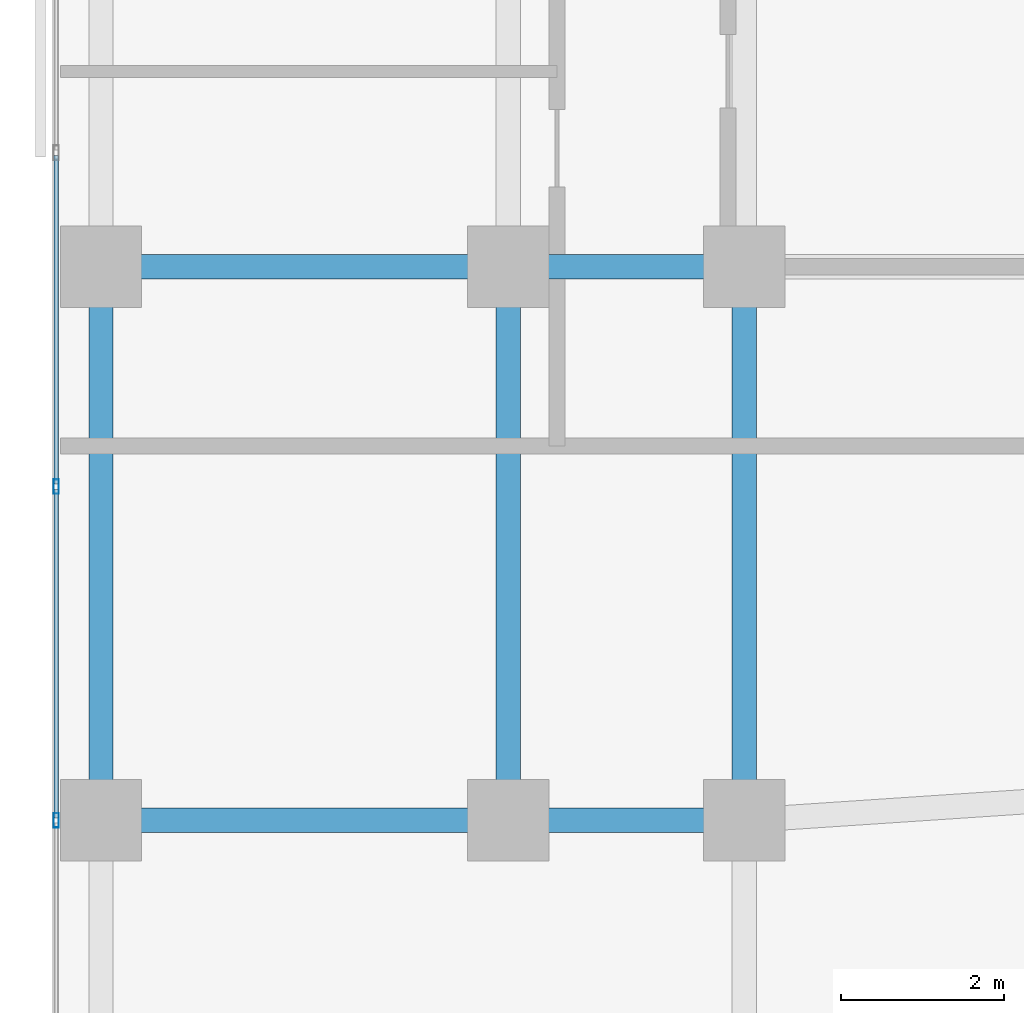
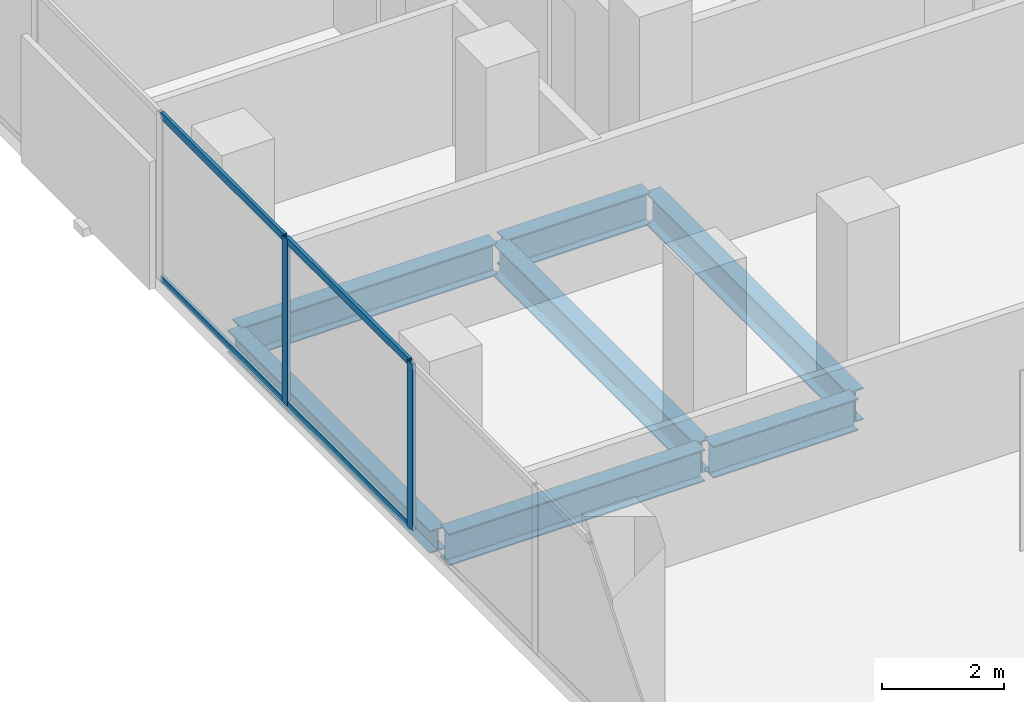
# One storey, part 10 of 31: 7 beams, 6 members, 1 element without a shape of its own.
"""IFC4 building model written with IfcOpenShell, lengths in metres."""

from ifc_helpers import new_model, si_unit, direction, frame, origin, origin_2d, place, context, subcontext, project, spatial, hollow_rectangle, i_section, extrude, material, layer, layer_set, material_profile, profile_set, type_object, element, aggregate, save


model = new_model("IFC4")

# Units and contexts
model_context = context("Model", 3, precision=1e-05, world=origin(), true_north=direction((0.0, 1.0)))
body_context = subcontext(model_context, "Body", "Model", "MODEL_VIEW")
ifc_project = project(units=[si_unit("LENGTHUNIT", "METRE"), si_unit("AREAUNIT", "SQUARE_METRE"), si_unit("VOLUMEUNIT", "CUBIC_METRE"), si_unit("PLANEANGLEUNIT", "RADIAN"), si_unit("MASSUNIT", "GRAM", prefix="KILO")], contexts=[model_context])

# Site, building, storey
site_placement = place(None, origin())
site = spatial("IfcSite", under=ifc_project, at=site_placement, CompositionType="ELEMENT")
building_placement = place(site_placement, origin())
building = spatial("IfcBuilding", under=site, at=building_placement, Name="Catumbela Crestline Tower", CompositionType="ELEMENT")
storey_placement = place(building_placement, frame((0.0, 0.0, 36.6)))
storey = spatial("IfcBuildingStorey", under=building, at=storey_placement, Name="L08", CompositionType="ELEMENT", Elevation=36.6)

# Beams
ifc_material_1 = material(Name="Structural steel S355J2", Category="steel")
ifc_material_profile_1 = material_profile(ifc_material_1, i_section(OverallWidth=0.3, OverallDepth=0.64, WebThickness=0.0135, FlangeThickness=0.026, FilletRadius=0.027, at=origin_2d()), Name="HEA 650")
ifc_profile_set_1 = profile_set([ifc_material_profile_1], Name="Structural steel S355J2")
beam_type_1 = type_object("IfcBeamType", Name="BG-HEA650", PredefinedType="BEAM", material=ifc_profile_set_1)
beam_1_placement = place(storey_placement, frame((0.68, 24.0, -0.58), z_axis=(1.0, 0.0, 0.0), x_axis=(0.0, 1.0, 0.0)))
element("IfcBeam", 1, at=beam_1_placement, inside=storey, type_object=beam_type_1, Name="L08 Beam BM-L08-S01", PredefinedType="BEAM", context=body_context, shape_type="SweptSolid", body=[
    extrude(i_section(OverallWidth=0.3, OverallDepth=0.64, WebThickness=0.0135, FlangeThickness=0.026, FilletRadius=0.027, at=origin_2d()), origin(), (0.0, 0.0, 1.0), 4.84),
])
beam_2_placement = place(storey_placement, frame((5.68, 24.0, -0.58), z_axis=(1.0, 0.0, 0.0), x_axis=(0.0, 1.0, 0.0)))
element("IfcBeam", 2, at=beam_2_placement, inside=storey, type_object=beam_type_1, Name="L08 Beam BM-L08-S02", PredefinedType="BEAM", context=body_context, shape_type="SweptSolid", body=[
    extrude(i_section(OverallWidth=0.3, OverallDepth=0.64, WebThickness=0.0135, FlangeThickness=0.026, FilletRadius=0.027, at=origin_2d()), origin(), (0.0, 0.0, 1.0), 2.74),
])
beam_3_placement = place(storey_placement, frame((0.68, 30.8, -0.58), z_axis=(1.0, 0.0, 0.0), x_axis=(0.0, 1.0, 0.0)))
element("IfcBeam", 3, at=beam_3_placement, inside=storey, type_object=beam_type_1, Name="L08 Beam BM-L08-M07", PredefinedType="BEAM", context=body_context, shape_type="SweptSolid", body=[
    extrude(i_section(OverallWidth=0.3, OverallDepth=0.64, WebThickness=0.0135, FlangeThickness=0.026, FilletRadius=0.027, at=origin_2d()), origin(), (0.0, 0.0, 1.0), 4.84),
])
beam_4_placement = place(storey_placement, frame((5.68, 30.8, -0.58), z_axis=(1.0, 0.0, 0.0), x_axis=(0.0, 1.0, 0.0)))
element("IfcBeam", 4, at=beam_4_placement, inside=storey, type_object=beam_type_1, Name="L08 Beam BM-L08-M08", PredefinedType="BEAM", context=body_context, shape_type="SweptSolid", body=[
    extrude(i_section(OverallWidth=0.3, OverallDepth=0.64, WebThickness=0.0135, FlangeThickness=0.026, FilletRadius=0.027, at=origin_2d()), origin(), (0.0, 0.0, 1.0), 2.74),
])
for number, where, z_axis, x_axis, name in (
    (5, (5.6, 24.08, -0.58), (0.0, 1.0, 0.0), (-1.0, 0.0, 0.0), "L08 Beam BM-L08-SN27"),
    (6, (8.5, 24.08, -0.58), (0.0, 1.0, 0.0), (-1.0, 0.0, 0.0), "L08 Beam BM-L08-SN29"),
):
    element("IfcBeam", number, at=place(storey_placement, frame(where, z_axis=z_axis, x_axis=x_axis)), inside=storey, type_object=beam_type_1, Name=name, PredefinedType="BEAM", context=body_context, shape_type="SweptSolid", body=[
        extrude(i_section(OverallWidth=0.3, OverallDepth=0.64, WebThickness=0.0135, FlangeThickness=0.026, FilletRadius=0.027, at=origin_2d()), origin(), (0.0, 0.0, 1.0), 6.64),
    ])

# Curtain wall, members
ifc_material_2 = material(Name="Aluminium alloy AW-6060-T66", Category="aluminium")
ifc_layer = layer(ifc_material_2, 0.18, Name="Aluminium alloy AW-6060-T66")
ifc_layer_set = layer_set([ifc_layer], Name="Aluminium alloy AW-6060-T66")
curtain_wall_type = type_object("IfcCurtainWallType", Name="CWU-Z1", PredefinedType="USERDEFINED", material=ifc_layer_set)
curtain_wall_placement = place(storey_placement, origin())
curtain_wall = element("IfcCurtainWall", 7, at=curtain_wall_placement, inside=storey, type_object=curtain_wall_type, Name="L08 Unitised Curtain Wall CW-L08-E9S1", ObjectType="UNITISED", PredefinedType="USERDEFINED")
ifc_material_profile_2 = material_profile(ifc_material_2, hollow_rectangle(XDim=0.065, YDim=0.18, WallThickness=0.004, at=origin_2d()), Name="ALU 180x65x4")
ifc_profile_set_2 = profile_set([ifc_material_profile_2], Name="Aluminium alloy AW-6060-T66")
member_type_1 = type_object("IfcMemberType", Name="MUL-180X65", PredefinedType="MULLION", material=ifc_profile_set_2)
member_1_placement = place(storey_placement, frame((0.05, 28.1, 0.0), z_axis=(0.0, 0.0, 1.0), x_axis=(1.0, 0.0, 0.0)))
member_1 = element("IfcMember", 8, at=member_1_placement, type_object=member_type_1, Name="CWU-Z1 mullion 5", PredefinedType="MULLION", context=body_context, shape_type="SweptSolid", body=[
    extrude(hollow_rectangle(XDim=0.065, YDim=0.18, WallThickness=0.004, at=origin_2d()), origin(), (0.0, 0.0, 1.0), 3.33),
])
member_2_placement = place(storey_placement, frame((0.05, 24.0, 0.0), z_axis=(0.0, 0.0, 1.0), x_axis=(1.0, 0.0, 0.0)))
member_2 = element("IfcMember", 9, at=member_2_placement, type_object=member_type_1, Name="CWU-Z1 mullion 6", PredefinedType="MULLION", context=body_context, shape_type="SweptSolid", body=[
    extrude(hollow_rectangle(XDim=0.065, YDim=0.18, WallThickness=0.004, at=origin_2d()), origin(), (0.0, 0.0, 1.0), 3.33),
])

# Beam
ifc_material_profile_3 = material_profile(ifc_material_1, i_section(OverallWidth=0.3, OverallDepth=0.45, WebThickness=0.014, FlangeThickness=0.026, FilletRadius=0.027, at=origin_2d()), Name="HEB 450")
ifc_profile_set_3 = profile_set([ifc_material_profile_3], Name="Structural steel S355J2")
beam_type_2 = type_object("IfcBeamType", Name="BS-HEB450", PredefinedType="SPANDREL", material=ifc_profile_set_3)
beam_5_placement = place(storey_placement, frame((0.6, 24.08, -0.485), z_axis=(0.0, 1.0, 0.0), x_axis=(-1.0, 0.0, 0.0)))
element("IfcBeam", 10, at=beam_5_placement, inside=storey, type_object=beam_type_2, Name="L08 Spandrel SP-L08-SN25", PredefinedType="SPANDREL", context=body_context, shape_type="SweptSolid", body=[
    extrude(i_section(OverallWidth=0.3, OverallDepth=0.45, WebThickness=0.014, FlangeThickness=0.026, FilletRadius=0.027, at=origin_2d()), origin(), (0.0, 0.0, 1.0), 6.64),
])

# Member
ifc_material_profile_4 = material_profile(ifc_material_2, hollow_rectangle(XDim=0.06, YDim=0.14, WallThickness=0.004, at=origin_2d()), Name="ALU 140x60x4")
ifc_profile_set_4 = profile_set([ifc_material_profile_4], Name="Aluminium alloy AW-6060-T66")
member_type_2 = type_object("IfcMemberType", Name="TRN-140X60", PredefinedType="USERDEFINED", material=ifc_profile_set_4)
member_3_placement = place(storey_placement, frame((0.05, 32.1675, 0.03), z_axis=(0.0, -1.0, 0.0), x_axis=(1.0, 0.0, 0.0)))
member_3 = element("IfcMember", 11, at=member_3_placement, type_object=member_type_2, Name="CWU-Z1 transom 4.1", ObjectType="TRANSOM", PredefinedType="USERDEFINED", context=body_context, shape_type="SweptSolid", body=[
    extrude(hollow_rectangle(XDim=0.06, YDim=0.14, WallThickness=0.004, at=origin_2d()), origin(), (0.0, 0.0, 1.0), 4.035),
])

member_4_placement = place(storey_placement, frame((0.05, 32.1675, 3.3), z_axis=(0.0, -1.0, 0.0), x_axis=(1.0, 0.0, 0.0)))
member_4 = element("IfcMember", 12, at=member_4_placement, type_object=member_type_2, Name="CWU-Z1 transom 4.2", ObjectType="TRANSOM", PredefinedType="USERDEFINED", context=body_context, shape_type="SweptSolid", body=[
    extrude(hollow_rectangle(XDim=0.06, YDim=0.14, WallThickness=0.004, at=origin_2d()), origin(), (0.0, 0.0, 1.0), 4.035),
])

member_5_placement = place(storey_placement, frame((0.05, 28.0675, 0.03), z_axis=(0.0, -1.0, 0.0), x_axis=(1.0, 0.0, 0.0)))
member_5 = element("IfcMember", 13, at=member_5_placement, type_object=member_type_2, Name="CWU-Z1 transom 5.1", ObjectType="TRANSOM", PredefinedType="USERDEFINED", context=body_context, shape_type="SweptSolid", body=[
    extrude(hollow_rectangle(XDim=0.06, YDim=0.14, WallThickness=0.004, at=origin_2d()), origin(), (0.0, 0.0, 1.0), 4.035),
])

member_6_placement = place(storey_placement, frame((0.05, 28.0675, 3.3), z_axis=(0.0, -1.0, 0.0), x_axis=(1.0, 0.0, 0.0)))
member_6 = element("IfcMember", 14, at=member_6_placement, type_object=member_type_2, Name="CWU-Z1 transom 5.2", ObjectType="TRANSOM", PredefinedType="USERDEFINED", context=body_context, shape_type="SweptSolid", body=[
    extrude(hollow_rectangle(XDim=0.06, YDim=0.14, WallThickness=0.004, at=origin_2d()), origin(), (0.0, 0.0, 1.0), 4.035),
])

aggregate(curtain_wall, [member_1, member_2, member_3, member_4, member_5, member_6])

save(model, "model.ifc")
